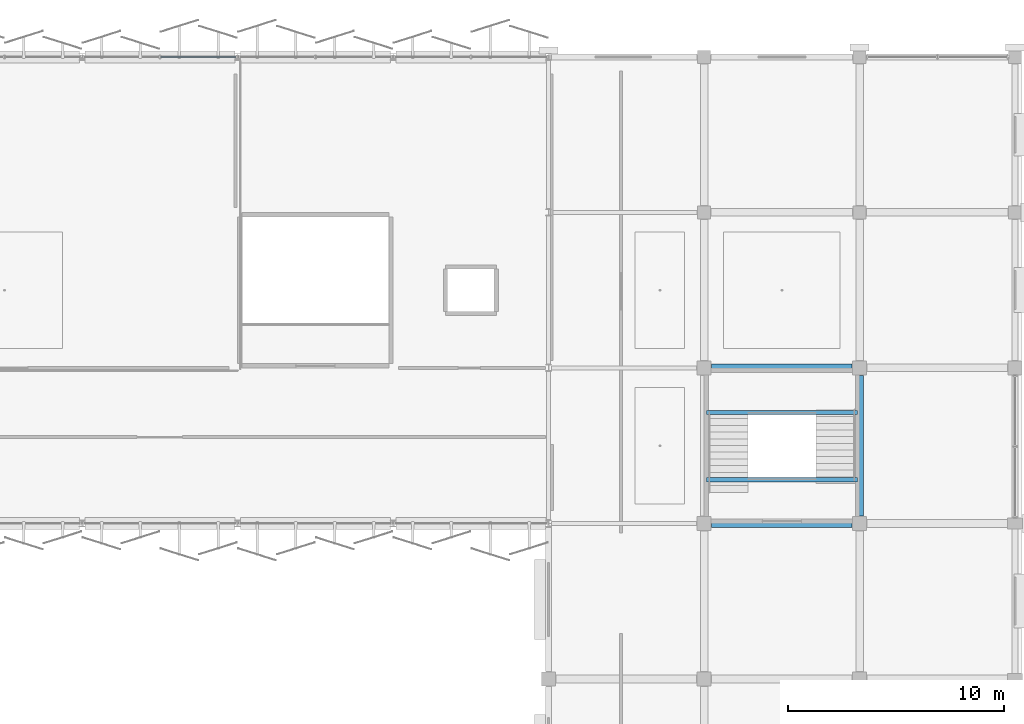
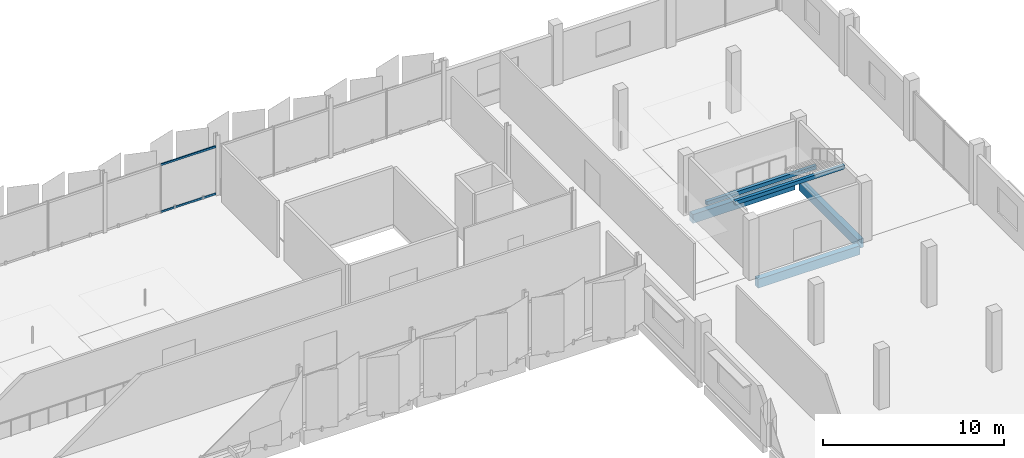
# One storey, part 41 of 77: 5 beams, 2 members, 1 element without a shape of its own.
"""IFC4 building model written with IfcOpenShell, lengths in metres."""

from ifc_helpers import new_model, si_unit, direction, frame, origin, origin_2d, place, context, subcontext, project, spatial, rectangle, hollow_rectangle, extrude, material, layer, layer_set, material_profile, profile_set, type_object, element, aggregate, save


model = new_model("IFC4")

# Units and contexts
model_context = context("Model", 3, precision=1e-05, world=origin(), true_north=direction((0.0, 1.0)))
body_context = subcontext(model_context, "Body", "Model", "MODEL_VIEW")
ifc_project = project(units=[si_unit("LENGTHUNIT", "METRE"), si_unit("AREAUNIT", "SQUARE_METRE"), si_unit("VOLUMEUNIT", "CUBIC_METRE"), si_unit("PLANEANGLEUNIT", "RADIAN"), si_unit("MASSUNIT", "GRAM", prefix="KILO")], contexts=[model_context])

# Site, building, storey
site_placement = place(None, origin())
site = spatial("IfcSite", under=ifc_project, at=site_placement, CompositionType="ELEMENT")
building_placement = place(site_placement, origin())
building = spatial("IfcBuilding", under=site, at=building_placement, Name="Kangsadwip Square Police Headquarters", CompositionType="ELEMENT")
storey_placement = place(building_placement, frame((0.0, 0.0, 17.550048828125)))
storey = spatial("IfcBuildingStorey", under=building, at=storey_placement, Name="L04", CompositionType="ELEMENT", Elevation=17.550048828125)

# Curtain wall, members
ifc_material_1 = material(Name="Thermally broken anodised aluminium AW-6063-T6", Category="aluminium")
ifc_layer = layer(ifc_material_1, 0.159912109375)
ifc_layer_set = layer_set([ifc_layer], Name="Thermally broken anodised aluminium AW-6063-T6")
curtain_wall_type = type_object("IfcCurtainWallType", Name="UnitisedCw7180x3300", PredefinedType="NOTDEFINED", material=ifc_layer_set)
curtain_wall_placement = place(storey_placement, origin())
curtain_wall = element("IfcCurtainWall", 1, at=curtain_wall_placement, inside=storey, type_object=curtain_wall_type, Name="Curtain Wall CW-L04-1224-1152", PredefinedType="NOTDEFINED")
ifc_material_2 = material(Name="Thermally broken anodised aluminium AW-6063-T6", Category="aluminium")
ifc_material_profile_1 = material_profile(ifc_material_2, hollow_rectangle(XDim=0.06494140625, YDim=0.1298828125, WallThickness=0.00390625, at=origin_2d()), Name="CWT 130X65X4")
ifc_profile_set_1 = profile_set([ifc_material_profile_1], Name="Thermally broken anodised aluminium AW-6063-T6")
member_type = type_object("IfcMemberType", Name="CwTransom140x60", PredefinedType="USERDEFINED", material=ifc_profile_set_1)
member_1_placement = place(storey_placement, frame((126.032470703125, 115.199951171875, 0.06494140625), z_axis=(1.0, 0.0, 0.0), x_axis=(0.0, 1.0, 0.0)))
member_1 = element("IfcMember", 2, at=member_1_placement, type_object=member_type, Name="CW-43 transom 2.1", ObjectType="TRANSOM", PredefinedType="USERDEFINED", context=body_context, shape_type="SweptSolid", body=[
    extrude(hollow_rectangle(XDim=0.06494140625, YDim=0.1298828125, WallThickness=0.00390625, at=origin_2d()), origin(), (0.0, 0.0, 1.0), 3.492431640625),
])
member_2_placement = place(storey_placement, frame((126.032470703125, 115.199951171875, 3.23486328125), z_axis=(1.0, 0.0, 0.0), x_axis=(0.0, 1.0, 0.0)))
member_2 = element("IfcMember", 3, at=member_2_placement, type_object=member_type, Name="CW-43 transom 2.2", ObjectType="TRANSOM", PredefinedType="USERDEFINED", context=body_context, shape_type="SweptSolid", body=[
    extrude(hollow_rectangle(XDim=0.06494140625, YDim=0.1298828125, WallThickness=0.00390625, at=origin_2d()), origin(), (0.0, 0.0, 1.0), 3.492431640625),
])
aggregate(curtain_wall, [member_1, member_2])

# Beams
ifc_material_3 = material(Name="Concrete M35 (35 MPa)", Category="concrete")
ifc_material_profile_2 = material_profile(ifc_material_3, rectangle(XDim=0.35009765625, YDim=0.60009765625, at=origin_2d()), Name="RC BM 600X350")
ifc_profile_set_2 = profile_set([ifc_material_profile_2], Name="Concrete M35 (35 MPa)")
beam_type_1 = type_object("IfcBeamType", Name="RcBeam600x350", PredefinedType="BEAM", material=ifc_profile_set_2)
for number, where, z_axis, x_axis, name in (
    (4, (151.550048828125, 93.60009765625, -0.5400390625), (1.0, 0.0, 0.0), (0.0, 1.0, 0.0), "Beam BM-L04-X-21-13"),
    (5, (151.550048828125, 100.800048828125, -0.5400390625), (1.0, 0.0, 0.0), (0.0, 1.0, 0.0), "Beam BM-L04-X-21-14"),
    (6, (158.39990234375, 93.949951171875, -0.5400390625), (0.0, 1.0, 0.0), (-1.0, 0.0, 0.0), "Beam BM-L04-Y-22-13"),
):
    element("IfcBeam", number, at=place(storey_placement, frame(where, z_axis=z_axis, x_axis=x_axis)), inside=storey, type_object=beam_type_1, Name=name, PredefinedType="BEAM", context=body_context, shape_type="SweptSolid", body=[
        extrude(rectangle(XDim=0.35009765625, YDim=0.60009765625, at=origin_2d()), origin(), (0.0, 0.0, 1.0), 6.5),
    ])
ifc_material_4 = material(Name="Concrete M30 (30 MPa)", Category="concrete")
ifc_material_profile_3 = material_profile(ifc_material_4, rectangle(XDim=0.199951171875, YDim=0.25, at=origin_2d()), Name="RC LNT 250X200")
ifc_profile_set_3 = profile_set([ifc_material_profile_3], Name="Concrete M30 (30 MPa)")
beam_type_2 = type_object("IfcBeamType", Name="RcLintel250x200", PredefinedType="LINTEL", material=ifc_profile_set_3)
for number, where, z_axis, x_axis, name in (
    (7, (151.300048828125, 98.739990234375, 1.801025390625), (1.0, 0.0, 0.0), (0.0, 1.0, 0.0), "Stair Carriage and Landing Beam BM-ST-L04-067"),
    (8, (151.300048828125, 95.6201171875, 3.704833984375), (1.0, 0.0, 0.0), (0.0, 1.0, 0.0), "Stair Carriage and Landing Beam BM-ST-L04-068"),
):
    element("IfcBeam", number, at=place(storey_placement, frame(where, z_axis=z_axis, x_axis=x_axis)), inside=storey, type_object=beam_type_2, Name=name, PredefinedType="BEAM", context=body_context, shape_type="SweptSolid", body=[
        extrude(rectangle(XDim=0.199951171875, YDim=0.25, at=origin_2d()), origin(), (0.0, 0.0, 1.0), 7.0),
    ])

save(model, "model.ifc")
